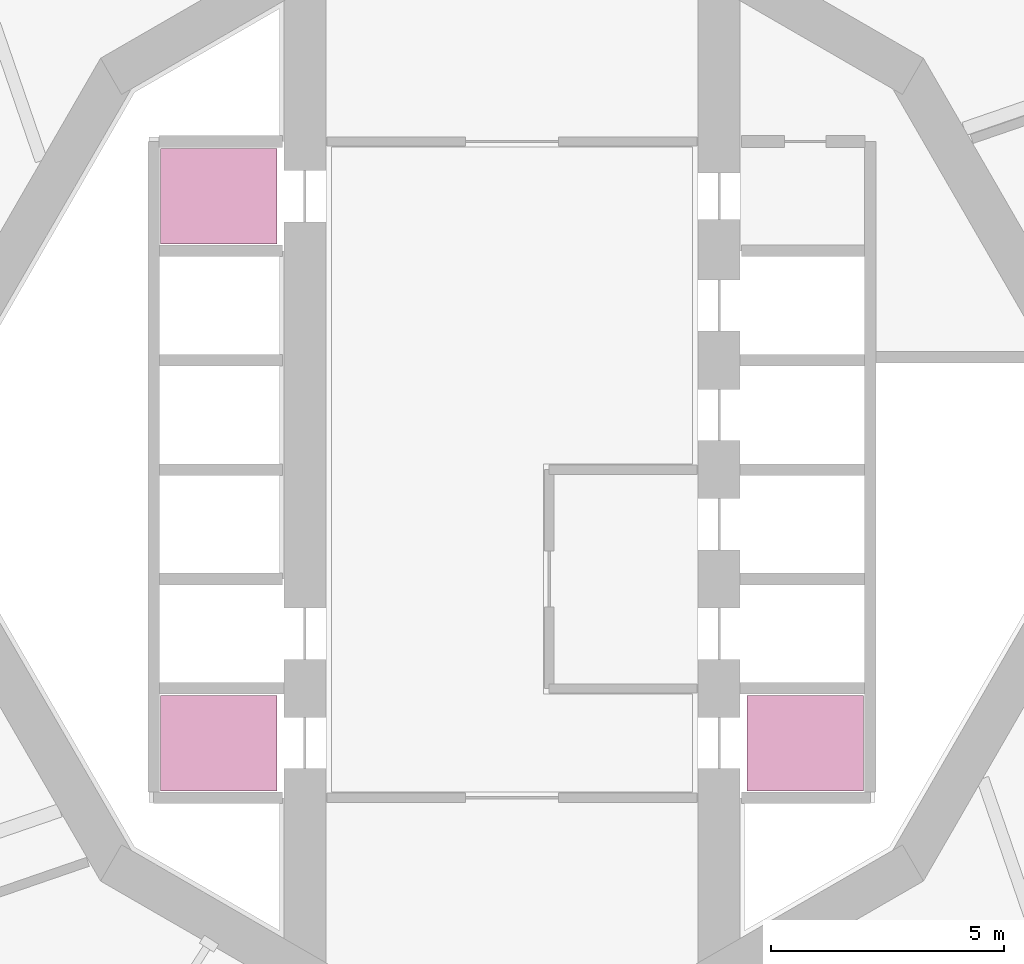
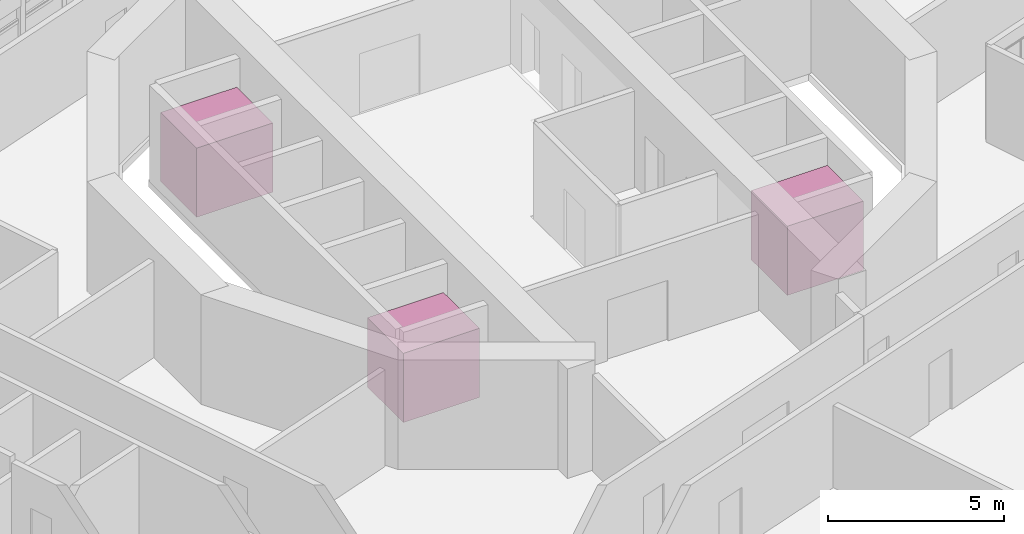
# One storey, part 21 of 22: 3 transport elements.
"""IFC4 building model written with IfcOpenShell, lengths in metres."""

from ifc_helpers import new_model, si_unit, direction, frame, origin, origin_2d, place, context, subcontext, project, spatial, rectangle, extrude, material, type_object, element, save


model = new_model("IFC4")

# Units and contexts
model_context = context("Model", 3, precision=1e-05, world=origin(), true_north=direction((0.0, 1.0)))
body_context = subcontext(model_context, "Body", "Model", "MODEL_VIEW")
ifc_project = project(units=[si_unit("LENGTHUNIT", "METRE"), si_unit("AREAUNIT", "SQUARE_METRE"), si_unit("VOLUMEUNIT", "CUBIC_METRE"), si_unit("PLANEANGLEUNIT", "RADIAN"), si_unit("MASSUNIT", "GRAM", prefix="KILO")], contexts=[model_context])

# Site, building, storey
site_placement = place(None, origin())
site = spatial("IfcSite", under=ifc_project, at=site_placement, CompositionType="ELEMENT")
building_placement = place(site_placement, origin())
building = spatial("IfcBuilding", under=site, at=building_placement, Name="Cantera Rosa Tower", CompositionType="ELEMENT")
storey_placement = place(building_placement, frame((0.0, 0.0, 138.300048828125)))
storey = spatial("IfcBuildingStorey", under=building, at=storey_placement, Name="L29", CompositionType="ELEMENT", Elevation=138.300048828125)

# Transport elements
ifc_material = material(Name="Stainless steel", Category="steel")
transport_element_type = type_object("IfcTransportElementType", Name="LIFT PASSENGER 1600 KG", PredefinedType="ELEVATOR", material=ifc_material)
for number, where, z_axis, x_axis, name in (
    (1, (-6.300048828125, -5.875, 0.0), (0.0, 0.0, 1.0), (1.0, 0.0, 0.0), "LIFT P4"),
    (2, (-6.300048828125, 5.875, 0.0), (0.0, 0.0, 1.0), (1.0, 0.0, 0.0), "LIFT P5"),
    (3, (6.300048828125, -5.875, 0.0), (0.0, 0.0, 1.0), (1.0, 0.0, 0.0), "LIFT P6"),
):
    element("IfcTransportElement", number, at=place(storey_placement, frame(where, z_axis=z_axis, x_axis=x_axis)), inside=storey, type_object=transport_element_type, Name=name, PredefinedType="ELEVATOR", context=body_context, shape_type="SweptSolid", body=[
        extrude(rectangle(XDim=2.5, YDim=2.050048828125, at=origin_2d()), origin(), (0.0, 0.0, 1.0), 2.39990234375),
    ])

save(model, "model.ifc")
